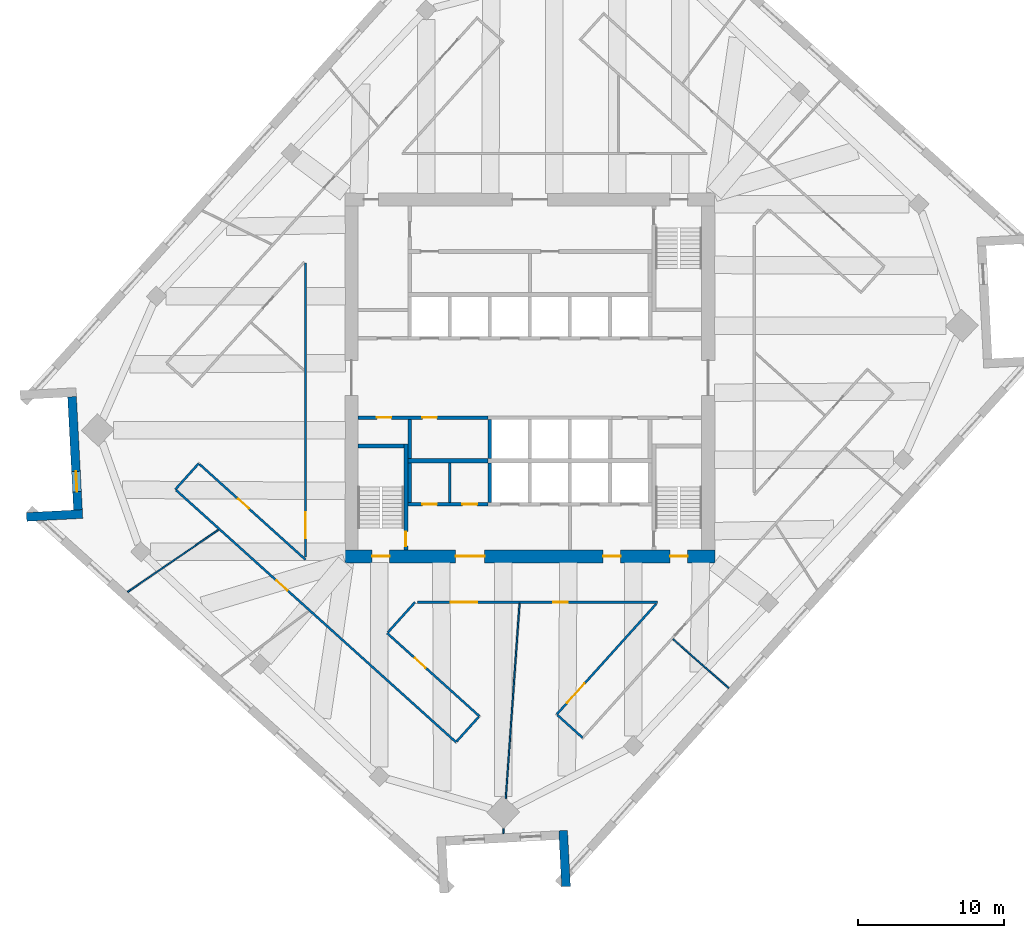
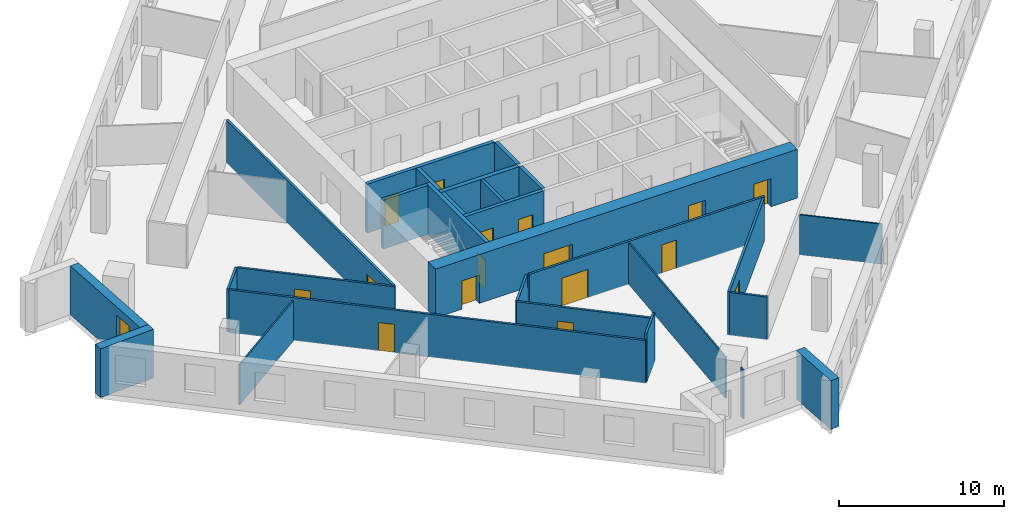
# One storey, part 6 of 12: 28 walls, 16 doors, 1 window, 17 openings.
"""IFC4 building model written with IfcOpenShell, lengths in metres."""

from ifc_helpers import new_model, si_unit, direction, frame, frame_2d, origin, place, context, subcontext, project, spatial, rectangle, extrude, material, layer, layer_set, type_object, element, fill, save


model = new_model("IFC4")

# Units and contexts
model_context = context("Model", 3, precision=1e-05, world=origin(), true_north=direction((0.0, 1.0)))
body_context = subcontext(model_context, "Body", "Model", "MODEL_VIEW")
ifc_project = project(units=[si_unit("LENGTHUNIT", "METRE"), si_unit("AREAUNIT", "SQUARE_METRE"), si_unit("VOLUMEUNIT", "CUBIC_METRE"), si_unit("PLANEANGLEUNIT", "RADIAN"), si_unit("MASSUNIT", "GRAM", prefix="KILO")], contexts=[model_context])

# Site, building, storey
site_placement = place(None, origin())
site = spatial("IfcSite", under=ifc_project, at=site_placement, CompositionType="ELEMENT")
building_placement = place(site_placement, origin())
building = spatial("IfcBuilding", under=site, at=building_placement, Name="Dilmun Exchange Tower", CompositionType="ELEMENT")
storey_placement = place(building_placement, frame((0.0, 0.0, 221.300048828125)))
storey = spatial("IfcBuildingStorey", under=building, at=storey_placement, Name="L52", CompositionType="ELEMENT", Elevation=221.300048828125)

# Wall
ifc_material_1 = material(Name="Concrete C40/50", Category="concrete")
ifc_layer_1 = layer(ifc_material_1, 0.199951171875)
ifc_layer_set_1 = layer_set([ifc_layer_1], Name="Concrete C40/50")
wall_type_1 = type_object("IfcWallType", Name="Core partition wall 200", PredefinedType="PARTITIONING", material=ifc_layer_set_1)
wall_1_placement = place(storey_placement, frame((-5.5, -8.544921875, 0.0), z_axis=(0.0, 0.0, 1.0), x_axis=(0.0, 1.0, 0.0)))
element("IfcWall", 1, at=wall_1_placement, inside=storey, type_object=wall_type_1, Name="L52 core partition wall 04", PredefinedType="PARTITIONING", context=body_context, shape_type="SweptSolid", body=[
    extrude(rectangle(XDim=2.68994140625, YDim=0.199951171875, at=frame_2d((1.344970703125, 0.0))), origin(), (0.0, 0.0, 1.0), 3.619873046875),
])

# Wall, openings, doors
ifc_layer_2 = layer(ifc_material_1, 0.25)
ifc_layer_set_2 = layer_set([ifc_layer_2], Name="Concrete C40/50")
wall_type_2 = type_object("IfcWallType", Name="Core partition wall 250", PredefinedType="PARTITIONING", material=ifc_layer_set_2)
wall_2_placement = place(storey_placement, frame((-8.3701171875, -8.675048828125, 0.0), z_axis=(0.0, 0.0, 1.0), x_axis=(1.0, 0.0, 0.0)))
wall_2 = element("IfcWall", 2, at=wall_2_placement, inside=storey, type_object=wall_type_2, Name="L52 core partition wall 02", PredefinedType="PARTITIONING", context=body_context, shape_type="SweptSolid", body=[
    extrude(rectangle(XDim=5.490234375, YDim=0.25, at=frame_2d((2.7451171875, 0.0))), origin(), (0.0, 0.0, 1.0), 3.619873046875),
])
opening_1_placement = place(wall_2_placement, frame((0.9951171875, 0.0, 0.0)))
opening_1 = element("IfcOpeningElement", 3, at=opening_1_placement, cuts=wall_2, Name="Opening CD4", PredefinedType="OPENING", context=body_context, shape_type="SweptSolid", body=[
    extrude(rectangle(XDim=1.0, YDim=2.10009765625, at=frame_2d((0.5, 1.050048828125))), frame((0.0, 0.135009765625, 0.0), z_axis=(0.0, -1.0, 0.0), x_axis=(1.0, 0.0, 0.0)), (0.0, 0.0, 1.0), 0.27001953125),
])
opening_2_placement = place(wall_2_placement, frame((3.7451171875, 0.0, 0.0)))
opening_2 = element("IfcOpeningElement", 4, at=opening_2_placement, cuts=wall_2, Name="Opening CD4", PredefinedType="OPENING", context=body_context, shape_type="SweptSolid", body=[
    extrude(rectangle(XDim=1.0, YDim=2.10009765625, at=frame_2d((0.5, 1.050048828125))), frame((0.0, 0.135009765625, 0.0), z_axis=(0.0, -1.0, 0.0), x_axis=(1.0, 0.0, 0.0)), (0.0, 0.0, 1.0), 0.27001953125),
])
ifc_material_2 = material(Name="Fire-rated steel door set", Category="steel")
door_type_1 = type_object("IfcDoorType", Name="Core room door 1000x2100", OperationType="SINGLE_SWING_LEFT", PredefinedType="DOOR", material=ifc_material_2)
door_1_placement = place(opening_1_placement, origin())
door_1 = element("IfcDoor", 5, at=door_1_placement, inside=storey, type_object=door_type_1, Name="L52 door Male WC", OperationType="SINGLE_SWING_LEFT", OverallHeight=2.10009765625, OverallWidth=1.0, PredefinedType="DOOR", context=body_context, shape_type="SweptSolid", body=[
    extrude(rectangle(XDim=1.0, YDim=2.10009765625, at=frame_2d((0.5, 1.050048828125))), frame((0.0, 0.02490234375, 0.0), z_axis=(0.0, -1.0, 0.0), x_axis=(1.0, 0.0, 0.0)), (0.0, 0.0, 1.0), 0.050048828125),
])
fill(opening_1, door_1)
door_2_placement = place(opening_2_placement, origin())
door_2 = element("IfcDoor", 6, at=door_2_placement, inside=storey, type_object=door_type_1, Name="L52 door Female WC", OperationType="SINGLE_SWING_LEFT", OverallHeight=2.10009765625, OverallWidth=1.0, PredefinedType="DOOR", context=body_context, shape_type="SweptSolid", body=[
    extrude(rectangle(XDim=1.0, YDim=2.10009765625, at=frame_2d((0.5, 1.050048828125))), frame((0.0, 0.02490234375, 0.0), z_axis=(0.0, -1.0, 0.0), x_axis=(1.0, 0.0, 0.0)), (0.0, 0.0, 1.0), 0.050048828125),
])
fill(opening_2, door_2)

# Walls
for number, where, z_axis, x_axis, name in (
    (7, (-8.25, -8.544921875, 0.0), (0.0, 0.0, 1.0), (0.0, 1.0, 0.0), "L52 core partition wall 03"),
    (8, (-8.25, -5.544921875, 0.0), (0.0, 0.0, 1.0), (0.0, 1.0, 0.0), "L52 core partition wall 06"),
):
    element("IfcWall", number, at=place(storey_placement, frame(where, z_axis=z_axis, x_axis=x_axis)), inside=storey, type_object=wall_type_2, Name=name, PredefinedType="PARTITIONING", context=body_context, shape_type="SweptSolid", body=[
        extrude(rectangle(XDim=2.68994140625, YDim=0.25, at=frame_2d((1.344970703125, 0.0))), origin(), (0.0, 0.0, 1.0), 3.619873046875),
    ])

# Wall, openings, doors
wall_3_placement = place(storey_placement, frame((-11.794921875, -2.72509765625, 0.0), z_axis=(0.0, 0.0, 1.0), x_axis=(1.0, 0.0, 0.0)))
wall_3 = element("IfcWall", 9, at=wall_3_placement, inside=storey, type_object=wall_type_2, Name="L52 core partition wall 08", PredefinedType="PARTITIONING", context=body_context, shape_type="SweptSolid", body=[
    extrude(rectangle(XDim=8.9150390625, YDim=0.25, at=frame_2d((4.45751953125, 0.0))), origin(), (0.0, 0.0, 1.0), 3.619873046875),
])
opening_3_placement = place(wall_3_placement, frame((1.294921875, 0.0, 0.0)))
opening_3 = element("IfcOpeningElement", 10, at=opening_3_placement, cuts=wall_3, Name="Opening CD4", PredefinedType="OPENING", context=body_context, shape_type="SweptSolid", body=[
    extrude(rectangle(XDim=1.0, YDim=2.10009765625, at=frame_2d((0.5, 1.050048828125))), frame((0.0, 0.135009765625, 0.0), z_axis=(0.0, -1.0, 0.0), x_axis=(1.0, 0.0, 0.0)), (0.0, 0.0, 1.0), 0.27001953125),
])
opening_4_placement = place(wall_3_placement, frame((4.419921875, 0.0, 0.0)))
opening_4 = element("IfcOpeningElement", 11, at=opening_4_placement, cuts=wall_3, Name="Opening CD4", PredefinedType="OPENING", context=body_context, shape_type="SweptSolid", body=[
    extrude(rectangle(XDim=1.0, YDim=2.10009765625, at=frame_2d((0.5, 1.050048828125))), frame((0.0, 0.135009765625, 0.0), z_axis=(0.0, -1.0, 0.0), x_axis=(1.0, 0.0, 0.0)), (0.0, 0.0, 1.0), 0.27001953125),
])
door_3_placement = place(opening_3_placement, origin())
door_3 = element("IfcDoor", 12, at=door_3_placement, inside=storey, type_object=door_type_1, Name="L52 door Accessible WC", OperationType="SINGLE_SWING_LEFT", OverallHeight=2.10009765625, OverallWidth=1.0, PredefinedType="DOOR", context=body_context, shape_type="SweptSolid", body=[
    extrude(rectangle(XDim=1.0, YDim=2.10009765625, at=frame_2d((0.5, 1.050048828125))), frame((0.0, 0.02490234375, 0.0), z_axis=(0.0, -1.0, 0.0), x_axis=(1.0, 0.0, 0.0)), (0.0, 0.0, 1.0), 0.050048828125),
])
fill(opening_3, door_3)
door_4_placement = place(opening_4_placement, origin())
door_4 = element("IfcDoor", 13, at=door_4_placement, inside=storey, type_object=door_type_1, Name="L52 door Mechanical room", OperationType="SINGLE_SWING_LEFT", OverallHeight=2.10009765625, OverallWidth=1.0, PredefinedType="DOOR", context=body_context, shape_type="SweptSolid", body=[
    extrude(rectangle(XDim=1.0, YDim=2.10009765625, at=frame_2d((0.5, 1.050048828125))), frame((0.0, 0.02490234375, 0.0), z_axis=(0.0, -1.0, 0.0), x_axis=(1.0, 0.0, 0.0)), (0.0, 0.0, 1.0), 0.050048828125),
])
fill(opening_4, door_4)

# Wall
ifc_layer_3 = layer(ifc_material_1, 0.300048828125)
ifc_layer_set_3 = layer_set([ifc_layer_3], Name="Concrete C40/50")
wall_type_3 = type_object("IfcWallType", Name="Core partition wall 300", PredefinedType="PARTITIONING", material=ifc_layer_set_3)
wall_4_placement = place(storey_placement, frame((-8.35009765625, -5.699951171875, 0.0), z_axis=(0.0, 0.0, 1.0), x_axis=(1.0, 0.0, 0.0)))
element("IfcWall", 14, at=wall_4_placement, inside=storey, type_object=wall_type_3, Name="L52 core partition wall 05", PredefinedType="PARTITIONING", context=body_context, shape_type="SweptSolid", body=[
    extrude(rectangle(XDim=5.47021484375, YDim=0.300048828125, at=frame_2d((2.735107421875, 0.0))), origin(), (0.0, 0.0, 1.0), 3.619873046875),
])

# Wall, openings, doors
ifc_material_3 = material(Name="Concrete C60/75", Category="concrete")
ifc_layer_4 = layer(ifc_material_3, 0.89990234375)
ifc_layer_set_4 = layer_set([ifc_layer_4], Name="Concrete C60/75")
wall_type_4 = type_object("IfcWallType", Name="Core shear wall 900 Concrete C60/75", PredefinedType="SHEAR", material=ifc_layer_set_4)
wall_5_placement = place(storey_placement, frame((-12.699951171875, -12.25, 0.0), z_axis=(0.0, 0.0, 1.0), x_axis=(1.0, 0.0, 0.0)))
wall_5 = element("IfcWall", 15, at=wall_5_placement, inside=storey, type_object=wall_type_4, Name="L52 core shear wall S", PredefinedType="SHEAR", context=body_context, shape_type="SweptSolid", body=[
    extrude(rectangle(XDim=25.39990234375, YDim=0.89990234375, at=frame_2d((12.699951171875, 0.0))), origin(), (0.0, 0.0, 1.0), 3.619873046875),
])
opening_5_placement = place(wall_5_placement, frame((7.60009765625, 0.0, 0.0)))
opening_5 = element("IfcOpeningElement", 16, at=opening_5_placement, cuts=wall_5, Name="Opening CD2", PredefinedType="OPENING", context=body_context, shape_type="SweptSolid", body=[
    extrude(rectangle(XDim=2.0, YDim=2.10009765625, at=frame_2d((1.0, 1.050048828125))), frame((0.0, 0.4599609375, 0.0), z_axis=(0.0, -1.0, 0.0), x_axis=(1.0, 0.0, 0.0)), (0.0, 0.0, 1.0), 0.919921875),
])
opening_6_placement = place(wall_5_placement, frame((17.72509765625, 0.0, 0.0)))
opening_6 = element("IfcOpeningElement", 17, at=opening_6_placement, cuts=wall_5, Name="Opening CD3", PredefinedType="OPENING", context=body_context, shape_type="SweptSolid", body=[
    extrude(rectangle(XDim=1.199951171875, YDim=2.10009765625, at=frame_2d((0.60009765625, 1.050048828125))), frame((0.0, 0.4599609375, 0.0), z_axis=(0.0, -1.0, 0.0), x_axis=(1.0, 0.0, 0.0)), (0.0, 0.0, 1.0), 0.919921875),
])
opening_7_placement = place(wall_5_placement, frame((1.875, 0.0, 0.0)))
opening_7 = element("IfcOpeningElement", 18, at=opening_7_placement, cuts=wall_5, Name="Opening CD3", PredefinedType="OPENING", context=body_context, shape_type="SweptSolid", body=[
    extrude(rectangle(XDim=1.199951171875, YDim=2.10009765625, at=frame_2d((0.60009765625, 1.050048828125))), frame((0.0, 0.4599609375, 0.0), z_axis=(0.0, -1.0, 0.0), x_axis=(1.0, 0.0, 0.0)), (0.0, 0.0, 1.0), 0.919921875),
])
opening_8_placement = place(wall_5_placement, frame((22.324951171875, 0.0, 0.0)))
opening_8 = element("IfcOpeningElement", 19, at=opening_8_placement, cuts=wall_5, Name="Opening CD3", PredefinedType="OPENING", context=body_context, shape_type="SweptSolid", body=[
    extrude(rectangle(XDim=1.199951171875, YDim=2.10009765625, at=frame_2d((0.60009765625, 1.050048828125))), frame((0.0, 0.4599609375, 0.0), z_axis=(0.0, -1.0, 0.0), x_axis=(1.0, 0.0, 0.0)), (0.0, 0.0, 1.0), 0.919921875),
])
door_type_2 = type_object("IfcDoorType", Name="Core service door 2000x2100", OperationType="DOUBLE_DOOR_DOUBLE_SWING", PredefinedType="DOOR", material=ifc_material_2)
door_5_placement = place(opening_5_placement, origin())
door_5 = element("IfcDoor", 20, at=door_5_placement, inside=storey, type_object=door_type_2, Name="L52 door South service lobby", OperationType="SINGLE_SWING_LEFT", OverallHeight=2.10009765625, OverallWidth=2.0, PredefinedType="DOOR", context=body_context, shape_type="SweptSolid", body=[
    extrude(rectangle(XDim=2.0, YDim=2.10009765625, at=frame_2d((1.0, 1.050048828125))), frame((0.0, 0.02490234375, 0.0), z_axis=(0.0, -1.0, 0.0), x_axis=(1.0, 0.0, 0.0)), (0.0, 0.0, 1.0), 0.050048828125),
])
fill(opening_5, door_5)
door_type_3 = type_object("IfcDoorType", Name="Stair exit door 1200x2100", OperationType="SINGLE_SWING_LEFT", PredefinedType="DOOR", material=ifc_material_2)
door_6_placement = place(opening_6_placement, origin())
door_6 = element("IfcDoor", 21, at=door_6_placement, inside=storey, type_object=door_type_3, Name="L52 door Fire-fighting lobby", OperationType="SINGLE_SWING_LEFT", OverallHeight=2.10009765625, OverallWidth=1.199951171875, PredefinedType="DOOR", context=body_context, shape_type="SweptSolid", body=[
    extrude(rectangle(XDim=1.199951171875, YDim=2.10009765625, at=frame_2d((0.60009765625, 1.050048828125))), frame((0.0, 0.02490234375, 0.0), z_axis=(0.0, -1.0, 0.0), x_axis=(1.0, 0.0, 0.0)), (0.0, 0.0, 1.0), 0.050048828125),
])
fill(opening_6, door_6)
door_7_placement = place(opening_7_placement, origin())
door_7 = element("IfcDoor", 22, at=door_7_placement, inside=storey, type_object=door_type_3, Name="L52 door Stair ST2", OperationType="SINGLE_SWING_LEFT", OverallHeight=2.10009765625, OverallWidth=1.199951171875, PredefinedType="DOOR", context=body_context, shape_type="SweptSolid", body=[
    extrude(rectangle(XDim=1.199951171875, YDim=2.10009765625, at=frame_2d((0.60009765625, 1.050048828125))), frame((0.0, 0.02490234375, 0.0), z_axis=(0.0, -1.0, 0.0), x_axis=(1.0, 0.0, 0.0)), (0.0, 0.0, 1.0), 0.050048828125),
])
fill(opening_7, door_7)
door_8_placement = place(opening_8_placement, origin())
door_8 = element("IfcDoor", 23, at=door_8_placement, inside=storey, type_object=door_type_3, Name="L52 door Stair ST3", OperationType="SINGLE_SWING_LEFT", OverallHeight=2.10009765625, OverallWidth=1.199951171875, PredefinedType="DOOR", context=body_context, shape_type="SweptSolid", body=[
    extrude(rectangle(XDim=1.199951171875, YDim=2.10009765625, at=frame_2d((0.60009765625, 1.050048828125))), frame((0.0, 0.02490234375, 0.0), z_axis=(0.0, -1.0, 0.0), x_axis=(1.0, 0.0, 0.0)), (0.0, 0.0, 1.0), 0.050048828125),
])
fill(opening_8, door_8)

# Wall
ifc_material_4 = material(Name="Corridor wall 150")
ifc_layer_5 = layer(ifc_material_4, 0.14990234375)
ifc_layer_set_5 = layer_set([ifc_layer_5], Name="Corridor wall 150")
wall_type_5 = type_object("IfcWallType", Name="Corridor wall 150", PredefinedType="PARTITIONING", material=ifc_layer_set_5)
wall_6_placement = place(storey_placement, frame((-24.341064453125, -7.657958984375, 0.0), z_axis=(0.0, 0.0, 1.0), x_axis=(0.669262598109, 0.743025958344, 0.0)))
element("IfcWall", 24, at=wall_6_placement, inside=storey, type_object=wall_type_5, Name="Corridor wall", PredefinedType="PARTITIONING", context=body_context, shape_type="SweptSolid", body=[
    extrude(rectangle(XDim=2.399658203125, YDim=0.14990234375, at=frame_2d((1.19970703125, 0.0))), origin(), (0.0, 0.0, 1.0), 3.169921875),
])

# Wall, opening, door
wall_7_placement = place(storey_placement, frame((-24.285400390625, -7.708251953125, 0.0), z_axis=(0.0, 0.0, 1.0), x_axis=(0.743144813636, -0.66913061951, 0.0)))
wall_7 = element("IfcWall", 25, at=wall_7_placement, inside=storey, type_object=wall_type_5, Name="Corridor wall", PredefinedType="PARTITIONING", context=body_context, shape_type="SweptSolid", body=[
    extrude(rectangle(XDim=25.854248046875, YDim=0.14990234375, at=frame_2d((12.92724609375, 0.0))), origin(), (0.0, 0.0, 1.0), 3.169921875),
])
opening_9_placement = place(wall_7_placement, frame((9.2900390625, 0.0, 0.0)))
opening_9 = element("IfcOpeningElement", 26, at=opening_9_placement, cuts=wall_7, Name="Opening TF51-D03", PredefinedType="OPENING", context=body_context, shape_type="SweptSolid", body=[
    extrude(rectangle(XDim=1.0, YDim=2.10009765625, at=frame_2d((0.5, 1.050048828125))), frame((0.0, 0.0849609375, 0.0), z_axis=(0.0, -1.0, 0.0), x_axis=(1.0, 0.0, 0.0)), (0.0, 0.0, 1.0), 0.169921875),
])
ifc_material_5 = material(Name="Fire door 1000 x 2100")
door_type_4 = type_object("IfcDoorType", Name="Fire door 1000 x 2100", OperationType="NOTDEFINED", PredefinedType="DOOR", material=ifc_material_5)
door_9_placement = place(opening_9_placement, frame((1.0, 0.0, 0.0), z_axis=(0.0, 0.0, 1.0), x_axis=(-1.0, 0.0, 0.0)))
door_9 = element("IfcDoor", 27, at=door_9_placement, inside=storey, type_object=door_type_4, Name="Door TF51-D03", OperationType="SINGLE_SWING_RIGHT", OverallHeight=2.10009765625, OverallWidth=1.0, PredefinedType="DOOR", context=body_context, shape_type="SweptSolid", body=[
    extrude(rectangle(XDim=1.0, YDim=2.10009765625, at=frame_2d((0.5, 1.050048828125))), frame((0.0, 0.02490234375, 0.0), z_axis=(0.0, -1.0, 0.0), x_axis=(1.0, 0.0, 0.0)), (0.0, 0.0, 1.0), 0.050048828125),
])
fill(opening_9, door_9)

wall_8_placement = place(storey_placement, frame((-22.67919921875, -5.92529296875, 0.0), z_axis=(0.0, 0.0, 1.0), x_axis=(0.743175153667, -0.669096921956, 0.0)))
wall_8 = element("IfcWall", 28, at=wall_8_placement, inside=storey, type_object=wall_type_5, Name="Corridor wall", PredefinedType="PARTITIONING", context=body_context, shape_type="SweptSolid", body=[
    extrude(rectangle(XDim=9.794921875, YDim=0.14990234375, at=frame_2d((4.8974609375, 0.0))), origin(), (0.0, 0.0, 1.0), 3.169921875),
])
opening_10_placement = place(wall_8_placement, frame((3.550048828125, 0.0, 0.0)))
opening_10 = element("IfcOpeningElement", 29, at=opening_10_placement, cuts=wall_8, Name="Opening TF51-D02", PredefinedType="OPENING", context=body_context, shape_type="SweptSolid", body=[
    extrude(rectangle(XDim=1.0, YDim=2.10009765625, at=frame_2d((0.5, 1.050048828125))), frame((0.0, 0.0849609375, 0.0), z_axis=(0.0, -1.0, 0.0), x_axis=(1.0, 0.0, 0.0)), (0.0, 0.0, 1.0), 0.169921875),
])
door_10_placement = place(opening_10_placement, origin())
door_10 = element("IfcDoor", 30, at=door_10_placement, inside=storey, type_object=door_type_4, Name="Door TF51-D02", OperationType="SINGLE_SWING_LEFT", OverallHeight=2.10009765625, OverallWidth=1.0, PredefinedType="DOOR", context=body_context, shape_type="SweptSolid", body=[
    extrude(rectangle(XDim=1.0, YDim=2.10009765625, at=frame_2d((0.5, 1.050048828125))), frame((0.0, 0.02490234375, 0.0), z_axis=(0.0, -1.0, 0.0), x_axis=(1.0, 0.0, 0.0)), (0.0, 0.0, 1.0), 0.050048828125),
])
fill(opening_10, door_10)

wall_9_placement = place(storey_placement, frame((-15.39990234375, -12.310546875, 0.0), z_axis=(0.0, 0.0, 1.0), x_axis=(0.0, 1.0, 0.0)))
wall_9 = element("IfcWall", 31, at=wall_9_placement, inside=storey, type_object=wall_type_5, Name="Corridor wall", PredefinedType="PARTITIONING", context=body_context, shape_type="SweptSolid", body=[
    extrude(rectangle(XDim=20.193603515625, YDim=0.14990234375, at=frame_2d((10.0966796875, 0.0))), origin(), (0.0, 0.0, 1.0), 3.169921875),
])
opening_11_placement = place(wall_9_placement, frame((1.300048828125, 0.0, 0.0)))
opening_11 = element("IfcOpeningElement", 32, at=opening_11_placement, cuts=wall_9, Name="Opening TF51-D01", PredefinedType="OPENING", context=body_context, shape_type="SweptSolid", body=[
    extrude(rectangle(XDim=1.800048828125, YDim=2.10009765625, at=frame_2d((0.89990234375, 1.050048828125))), frame((0.0, 0.0849609375, 0.0), z_axis=(0.0, -1.0, 0.0), x_axis=(1.0, 0.0, 0.0)), (0.0, 0.0, 1.0), 0.169921875),
])
ifc_material_6 = material(Name="Fire door pair 1800 x 2100")
door_type_5 = type_object("IfcDoorType", Name="Fire door pair 1800 x 2100", OperationType="NOTDEFINED", PredefinedType="DOOR", material=ifc_material_6)
door_11_placement = place(opening_11_placement, origin())
door_11 = element("IfcDoor", 33, at=door_11_placement, inside=storey, type_object=door_type_5, Name="Door TF51-D01", OperationType="DOUBLE_DOOR_SINGLE_SWING", OverallHeight=2.10009765625, OverallWidth=1.800048828125, PredefinedType="DOOR", context=body_context, shape_type="SweptSolid", body=[
    extrude(rectangle(XDim=1.800048828125, YDim=2.10009765625, at=frame_2d((0.89990234375, 1.050048828125))), frame((0.0, 0.02490234375, 0.0), z_axis=(0.0, -1.0, 0.0), x_axis=(1.0, 0.0, 0.0)), (0.0, 0.0, 1.0), 0.050048828125),
])
fill(opening_11, door_11)

wall_10_placement = place(storey_placement, frame((-9.7958984375, -17.52490234375, 0.0), z_axis=(0.0, 0.0, 1.0), x_axis=(0.743155880954, -0.669118327804, 0.0)))
wall_10 = element("IfcWall", 34, at=wall_10_placement, inside=storey, type_object=wall_type_5, Name="Corridor wall", PredefinedType="PARTITIONING", context=body_context, shape_type="SweptSolid", body=[
    extrude(rectangle(XDim=8.517578125, YDim=0.14990234375, at=frame_2d((4.2587890625, 0.0))), origin(), (0.0, 0.0, 1.0), 3.169921875),
])
opening_12_placement = place(wall_10_placement, frame((2.550048828125, 0.0, 0.0)))
opening_12 = element("IfcOpeningElement", 35, at=opening_12_placement, cuts=wall_10, Name="Opening TF51-D07", PredefinedType="OPENING", context=body_context, shape_type="SweptSolid", body=[
    extrude(rectangle(XDim=1.0, YDim=2.10009765625, at=frame_2d((0.5, 1.050048828125))), frame((0.0, 0.0849609375, 0.0), z_axis=(0.0, -1.0, 0.0), x_axis=(1.0, 0.0, 0.0)), (0.0, 0.0, 1.0), 0.169921875),
])
door_12_placement = place(opening_12_placement, origin())
door_12 = element("IfcDoor", 36, at=door_12_placement, inside=storey, type_object=door_type_4, Name="Door TF51-D07", OperationType="SINGLE_SWING_LEFT", OverallHeight=2.10009765625, OverallWidth=1.0, PredefinedType="DOOR", context=body_context, shape_type="SweptSolid", body=[
    extrude(rectangle(XDim=1.0, YDim=2.10009765625, at=frame_2d((0.5, 1.050048828125))), frame((0.0, 0.02490234375, 0.0), z_axis=(0.0, -1.0, 0.0), x_axis=(1.0, 0.0, 0.0)), (0.0, 0.0, 1.0), 0.050048828125),
])
fill(opening_12, door_12)

# Wall
wall_11_placement = place(storey_placement, frame((-9.745849609375, -17.46923828125, 0.0), z_axis=(0.0, 0.0, 1.0), x_axis=(0.669042240246, 0.74322438117, 0.0)))
element("IfcWall", 37, at=wall_11_placement, inside=storey, type_object=wall_type_5, Name="Corridor wall", PredefinedType="PARTITIONING", context=body_context, shape_type="SweptSolid", body=[
    extrude(rectangle(XDim=2.7841796875, YDim=0.14990234375, at=frame_2d((1.39208984375, 0.0))), origin(), (0.0, 0.0, 1.0), 3.169921875),
])

# Wall, openings, doors
wall_12_placement = place(storey_placement, frame((-7.714599609375, -15.39990234375, 0.0), z_axis=(0.0, 0.0, 1.0), x_axis=(1.0, 0.0, 0.0)))
wall_12 = element("IfcWall", 38, at=wall_12_placement, inside=storey, type_object=wall_type_5, Name="Corridor wall", PredefinedType="PARTITIONING", context=body_context, shape_type="SweptSolid", body=[
    extrude(rectangle(XDim=16.49267578125, YDim=0.14990234375, at=frame_2d((8.246337890625, 0.0))), origin(), (0.0, 0.0, 1.0), 3.169921875),
])
opening_13_placement = place(wall_12_placement, frame((2.300048828125, 0.0, 0.0)))
opening_13 = element("IfcOpeningElement", 39, at=opening_13_placement, cuts=wall_12, Name="Opening TF51-D06", PredefinedType="OPENING", context=body_context, shape_type="SweptSolid", body=[
    extrude(rectangle(XDim=1.800048828125, YDim=2.10009765625, at=frame_2d((0.89990234375, 1.050048828125))), frame((0.0, 0.0849609375, 0.0), z_axis=(0.0, -1.0, 0.0), x_axis=(1.0, 0.0, 0.0)), (0.0, 0.0, 1.0), 0.169921875),
])
opening_14_placement = place(wall_12_placement, frame((9.31103515625, 0.0, 0.0)))
opening_14 = element("IfcOpeningElement", 40, at=opening_14_placement, cuts=wall_12, Name="Opening TF51-D11", PredefinedType="OPENING", context=body_context, shape_type="SweptSolid", body=[
    extrude(rectangle(XDim=1.0, YDim=2.10009765625, at=frame_2d((0.5, 1.050048828125))), frame((0.0, 0.0849609375, 0.0), z_axis=(0.0, -1.0, 0.0), x_axis=(1.0, 0.0, 0.0)), (0.0, 0.0, 1.0), 0.169921875),
])
door_13_placement = place(opening_14_placement, frame((1.0, 0.0, 0.0), z_axis=(0.0, 0.0, 1.0), x_axis=(-1.0, 0.0, 0.0)))
door_13 = element("IfcDoor", 41, at=door_13_placement, inside=storey, type_object=door_type_4, Name="Door TF51-D11", OperationType="SINGLE_SWING_LEFT", OverallHeight=2.10009765625, OverallWidth=1.0, PredefinedType="DOOR", context=body_context, shape_type="SweptSolid", body=[
    extrude(rectangle(XDim=1.0, YDim=2.10009765625, at=frame_2d((0.5, 1.050048828125))), frame((0.0, 0.02490234375, 0.0), z_axis=(0.0, -1.0, 0.0), x_axis=(1.0, 0.0, 0.0)), (0.0, 0.0, 1.0), 0.050048828125),
])
fill(opening_14, door_13)
door_14_placement = place(opening_13_placement, frame((1.800048828125, 0.0, 0.0), z_axis=(0.0, 0.0, 1.0), x_axis=(-1.0, 0.0, 0.0)))
door_14 = element("IfcDoor", 42, at=door_14_placement, inside=storey, type_object=door_type_5, Name="Door TF51-D06", OperationType="DOUBLE_DOOR_SINGLE_SWING", OverallHeight=2.10009765625, OverallWidth=1.800048828125, PredefinedType="DOOR", context=body_context, shape_type="SweptSolid", body=[
    extrude(rectangle(XDim=1.800048828125, YDim=2.10009765625, at=frame_2d((0.89990234375, 1.050048828125))), frame((0.0, 0.02490234375, 0.0), z_axis=(0.0, -1.0, 0.0), x_axis=(1.0, 0.0, 0.0)), (0.0, 0.0, 1.0), 0.050048828125),
])
fill(opening_13, door_14)

# Wall
wall_13_placement = place(storey_placement, frame((-5.021728515625, -24.952392578125, 0.0), z_axis=(0.0, 0.0, 1.0), x_axis=(0.669030659462, 0.743234805899, 0.0)))
element("IfcWall", 43, at=wall_13_placement, inside=storey, type_object=wall_type_5, Name="Corridor wall", PredefinedType="PARTITIONING", context=body_context, shape_type="SweptSolid", body=[
    extrude(rectangle(XDim=2.25048828125, YDim=0.14990234375, at=frame_2d((1.125244140625, 0.0))), origin(), (0.0, 0.0, 1.0), 3.619873046875),
])

# Wall, opening, door
wall_14_placement = place(storey_placement, frame((1.843017578125, -23.10302734375, 0.0), z_axis=(0.0, 0.0, 1.0), x_axis=(0.669082457394, 0.743188176176, 0.0)))
wall_14 = element("IfcWall", 44, at=wall_14_placement, inside=storey, type_object=wall_type_5, Name="Corridor wall", PredefinedType="PARTITIONING", context=body_context, shape_type="SweptSolid", body=[
    extrude(rectangle(XDim=10.196533203125, YDim=0.14990234375, at=frame_2d((5.09814453125, 0.0))), origin(), (0.0, 0.0, 1.0), 3.169921875),
])
opening_15_placement = place(wall_14_placement, frame((1.050048828125, 0.0, 0.0)))
opening_15 = element("IfcOpeningElement", 45, at=opening_15_placement, cuts=wall_14, Name="Opening TF51-D10", PredefinedType="OPENING", context=body_context, shape_type="SweptSolid", body=[
    extrude(rectangle(XDim=1.800048828125, YDim=2.10009765625, at=frame_2d((0.89990234375, 1.050048828125))), frame((0.0, 0.0849609375, 0.0), z_axis=(0.0, -1.0, 0.0), x_axis=(1.0, 0.0, 0.0)), (0.0, 0.0, 1.0), 0.169921875),
])
door_15_placement = place(opening_15_placement, origin())
door_15 = element("IfcDoor", 46, at=door_15_placement, inside=storey, type_object=door_type_5, Name="Door TF51-D10", OperationType="DOUBLE_DOOR_SINGLE_SWING", OverallHeight=2.10009765625, OverallWidth=1.800048828125, PredefinedType="DOOR", context=body_context, shape_type="SweptSolid", body=[
    extrude(rectangle(XDim=1.800048828125, YDim=2.10009765625, at=frame_2d((0.89990234375, 1.050048828125))), frame((0.0, 0.02490234375, 0.0), z_axis=(0.0, -1.0, 0.0), x_axis=(1.0, 0.0, 0.0)), (0.0, 0.0, 1.0), 0.050048828125),
])
fill(opening_15, door_15)

# Walls
wall_15_placement = place(storey_placement, frame((1.898681640625, -23.1533203125, 0.0), z_axis=(0.0, 0.0, 1.0), x_axis=(0.743059097408, -0.669225804761, 0.0)))
element("IfcWall", 47, at=wall_15_placement, inside=storey, type_object=wall_type_5, Name="Corridor wall", PredefinedType="PARTITIONING", context=body_context, shape_type="SweptSolid", body=[
    extrude(rectangle(XDim=2.324462890625, YDim=0.14990234375, at=frame_2d((1.162109375, 0.0))), origin(), (0.0, 0.0, 1.0), 3.169921875),
])
ifc_layer_6 = layer(ifc_material_1, 0.25)
ifc_layer_set_6 = layer_set([ifc_layer_6], Name="Concrete C40/50")
wall_type_6 = type_object("IfcWallType", Name="Lift shaft wall 250", PredefinedType="SOLIDWALL", material=ifc_layer_set_6)
for number, where, z_axis, x_axis, name in (
    (48, (-2.75, -5.550048828125, 0.0), (0.0, 0.0, 1.0), (0.0, 1.0, 0.0), "L52 lift shaft divider S12"),
    (49, (-2.75, -8.550048828125, 0.0), (0.0, 0.0, 1.0), (0.0, 1.0, 0.0), "L52 lift shaft divider S22"),
):
    element("IfcWall", number, at=place(storey_placement, frame(where, z_axis=z_axis, x_axis=x_axis)), inside=storey, type_object=wall_type_6, Name=name, PredefinedType="SOLIDWALL", context=body_context, shape_type="SweptSolid", body=[
        extrude(rectangle(XDim=2.699951171875, YDim=0.25, at=frame_2d((1.35009765625, 0.0))), origin(), (0.0, 0.0, 1.0), 3.619873046875),
    ])
ifc_material_7 = material(Name="Partition 100")
ifc_layer_7 = layer(ifc_material_7, 0.10009765625)
ifc_layer_set_7 = layer_set([ifc_layer_7], Name="Partition 100")
wall_type_7 = type_object("IfcWallType", Name="Partition 100", PredefinedType="PARTITIONING", material=ifc_layer_set_7)
wall_16_placement = place(storey_placement, frame((-27.615234375, -14.694091796875, 0.0), z_axis=(0.0, 0.0, 1.0), x_axis=(0.825481825388, 0.564428698733, 0.0)))
element("IfcWall", 50, at=wall_16_placement, inside=storey, type_object=wall_type_7, Name="Partition", PredefinedType="PARTITIONING", context=body_context, shape_type="SweptSolid", body=[
    extrude(rectangle(XDim=7.54541015625, YDim=0.10009765625, at=frame_2d((3.772705078125, 0.0))), origin(), (0.0, 0.0, 1.0), 2.969970703125),
])
wall_17_placement = place(storey_placement, frame((-1.826171875, -31.291748046875, 0.0), z_axis=(0.0, 0.0, 1.0), x_axis=(0.070558791605, 0.997507622491, 0.0)))
element("IfcWall", 51, at=wall_17_placement, inside=storey, type_object=wall_type_7, Name="Partition", PredefinedType="PARTITIONING", context=body_context, shape_type="SweptSolid", body=[
    extrude(rectangle(XDim=0.35302734375, YDim=0.10009765625, at=frame_2d((0.176513671875, 0.0))), origin(), (0.0, 0.0, 1.0), 3.619873046875),
])
wall_18_placement = place(storey_placement, frame((-1.6552734375, -28.878662109375, 0.0), z_axis=(0.0, 0.0, 1.0), x_axis=(0.070623224113, 0.99750306276, 0.0)))
element("IfcWall", 52, at=wall_18_placement, inside=storey, type_object=wall_type_7, Name="Partition", PredefinedType="PARTITIONING", context=body_context, shape_type="SweptSolid", body=[
    extrude(rectangle(XDim=13.43359375, YDim=0.10009765625, at=frame_2d((6.716796875, 0.0))), origin(), (0.0, 0.0, 1.0), 3.050048828125),
])
wall_19_placement = place(storey_placement, frame((9.828857421875, -17.932861328125, 0.0), z_axis=(0.0, 0.0, 1.0), x_axis=(0.751096490624, -0.660192442984, 0.0)))
element("IfcWall", 53, at=wall_19_placement, inside=storey, type_object=wall_type_7, Name="Partition", PredefinedType="PARTITIONING", context=body_context, shape_type="SweptSolid", body=[
    extrude(rectangle(XDim=5.0947265625, YDim=0.10009765625, at=frame_2d((2.54736328125, 0.0))), origin(), (0.0, 0.0, 1.0), 2.969970703125),
])

# Wall, opening, window
ifc_material_8 = material(Name="Precast concrete C50/60", Category="concrete")
ifc_layer_8 = layer(ifc_material_8, 0.60009765625)
ifc_layer_set_8 = layer_set([ifc_layer_8], Name="Precast concrete C50/60")
wall_type_8 = type_object("IfcWallType", Name="Precast stone-clad wall 600", PredefinedType="STANDARD", material=ifc_layer_set_8)
wall_20_placement = place(storey_placement, frame((-31.4306640625, -1.293212890625, 0.0), z_axis=(0.0, 0.0, 1.0), x_axis=(0.052323250701, -0.998630200543, 0.0)))
wall_20 = element("IfcWall", 54, at=wall_20_placement, inside=storey, type_object=wall_type_8, Name="Facade wall L52-05", PredefinedType="STANDARD", context=body_context, shape_type="SweptSolid", body=[
    extrude(rectangle(XDim=7.7783203125, YDim=0.60009765625, at=frame_2d((3.88916015625, 0.0))), origin(), (0.0, 0.0, 1.0), 3.619873046875),
])
opening_16_placement = place(wall_20_placement, frame((5.133544921875, 0.0, 0.89990234375)))
opening_16 = element("IfcOpeningElement", 55, at=opening_16_placement, cuts=wall_20, Name="Opening W140-210", PredefinedType="OPENING", context=body_context, shape_type="SweptSolid", body=[
    extrude(rectangle(XDim=1.39990234375, YDim=2.10009765625, at=frame_2d((0.699951171875, 1.050048828125))), frame((0.0, 0.31005859375, 0.0), z_axis=(0.0, -1.0, 0.0), x_axis=(1.0, 0.0, 0.0)), (0.0, 0.0, 1.0), 0.6201171875),
])
ifc_material_9 = material(Name="Clear low-emissivity glass in aluminium frame", Category="aluminium")
window_type = type_object("IfcWindowType", Name="Punched window 1400 x 2100", PartitioningType="DOUBLE_PANEL_VERTICAL", PredefinedType="WINDOW", material=ifc_material_9)
window_placement = place(opening_16_placement, origin())
window = element("IfcWindow", 56, at=window_placement, inside=storey, type_object=window_type, Name="Window 6.2", OverallHeight=2.10009765625, OverallWidth=1.39990234375, PartitioningType="SINGLE_PANEL", PredefinedType="WINDOW", context=body_context, shape_type="SweptSolid", body=[
    extrude(rectangle(XDim=1.39990234375, YDim=2.10009765625, at=frame_2d((0.699951171875, 1.050048828125))), frame((0.0, 0.030029296875, 0.0), z_axis=(0.0, -1.0, 0.0), x_axis=(1.0, 0.0, 0.0)), (0.0, 0.0, 1.0), 0.06005859375),
])
fill(opening_16, window)

# Walls
wall_21_placement = place(storey_placement, frame((-30.70849609375, -9.344482421875, 0.0), z_axis=(0.0, 0.0, 1.0), x_axis=(-0.99862798042, -0.052365606295, 0.0)))
element("IfcWall", 57, at=wall_21_placement, inside=storey, type_object=wall_type_8, Name="Facade wall L52-06", PredefinedType="STANDARD", context=body_context, shape_type="SweptSolid", body=[
    extrude(rectangle(XDim=3.846435546875, YDim=0.60009765625, at=frame_2d((1.92333984375, 0.0))), origin(), (0.0, 0.0, 1.0), 3.619873046875),
])
wall_22_placement = place(storey_placement, frame((2.283203125, -31.078369140625, 0.0), z_axis=(0.0, 0.0, 1.0), x_axis=(0.05236228724, -0.998628154457, 0.0)))
element("IfcWall", 58, at=wall_22_placement, inside=storey, type_object=wall_type_8, Name="Facade wall L52-10", PredefinedType="STANDARD", context=body_context, shape_type="SweptSolid", body=[
    extrude(rectangle(XDim=3.8466796875, YDim=0.60009765625, at=frame_2d((1.92333984375, 0.0))), origin(), (0.0, 0.0, 1.0), 3.619873046875),
])
ifc_layer_9 = layer(ifc_material_1, 0.25)
ifc_layer_set_9 = layer_set([ifc_layer_9], Name="Concrete C40/50")
wall_type_9 = type_object("IfcWallType", Name="Stair end wall 250", PredefinedType="SOLIDWALL", material=ifc_layer_set_9)
wall_23_placement = place(storey_placement, frame((-8.64990234375, -4.675048828125, 0.0), z_axis=(0.0, 0.0, 1.0), x_axis=(-1.0, 0.0, 0.0)))
element("IfcWall", 59, at=wall_23_placement, inside=storey, type_object=wall_type_9, Name="L52 ST2 far wall", PredefinedType="SOLIDWALL", context=body_context, shape_type="SweptSolid", body=[
    extrude(rectangle(XDim=3.150146484375, YDim=0.25, at=frame_2d((1.5751953125, 0.0))), origin(), (0.0, 0.0, 1.0), 3.619873046875),
])

# Wall, opening, door
ifc_layer_10 = layer(ifc_material_1, 0.27490234375)
ifc_layer_set_10 = layer_set([ifc_layer_10], Name="Concrete C40/50")
wall_type_10 = type_object("IfcWallType", Name="Stair wall 275", PredefinedType="SOLIDWALL", material=ifc_layer_set_10)
wall_24_placement = place(storey_placement, frame((-8.512451171875, -4.550048828125, 0.0), z_axis=(0.0, 0.0, 1.0), x_axis=(0.0, -1.0, 0.0)))
wall_24 = element("IfcWall", 60, at=wall_24_placement, inside=storey, type_object=wall_type_10, Name="L52 ST2 wall to lift block", PredefinedType="SOLIDWALL", context=body_context, shape_type="SweptSolid", body=[
    extrude(rectangle(XDim=7.25, YDim=0.27490234375, at=frame_2d((3.625, 0.0))), origin(), (0.0, 0.0, 1.0), 3.619873046875),
])
opening_17_placement = place(wall_24_placement, frame((6.0, 0.0, 0.0)))
opening_17 = element("IfcOpeningElement", 61, at=opening_17_placement, cuts=wall_24, Name="Opening CD4", PredefinedType="OPENING", context=body_context, shape_type="SweptSolid", body=[
    extrude(rectangle(XDim=1.0, YDim=2.10009765625, at=frame_2d((0.5, 1.050048828125))), frame((0.0, 0.1474609375, 0.0), z_axis=(0.0, -1.0, 0.0), x_axis=(1.0, 0.0, 0.0)), (0.0, 0.0, 1.0), 0.294921875),
])
door_16_placement = place(opening_17_placement, origin())
door_16 = element("IfcDoor", 62, at=door_16_placement, inside=storey, type_object=door_type_1, Name="L52 door ST2 from lobby", OperationType="SINGLE_SWING_LEFT", OverallHeight=2.10009765625, OverallWidth=1.0, PredefinedType="DOOR", context=body_context, shape_type="SweptSolid", body=[
    extrude(rectangle(XDim=1.0, YDim=2.10009765625, at=frame_2d((0.5, 1.050048828125))), frame((0.0, 0.02490234375, 0.0), z_axis=(0.0, -1.0, 0.0), x_axis=(1.0, 0.0, 0.0)), (0.0, 0.0, 1.0), 0.050048828125),
])
fill(opening_17, door_16)

save(model, "model.ifc")
